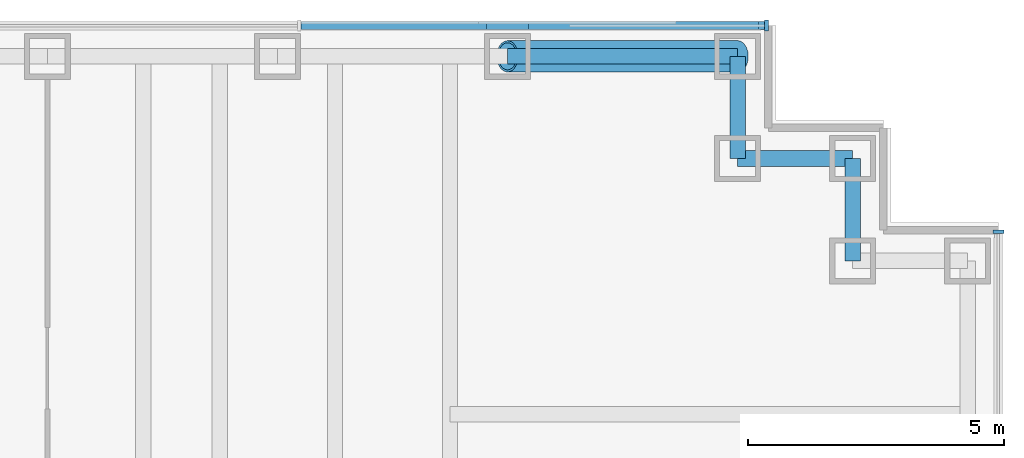
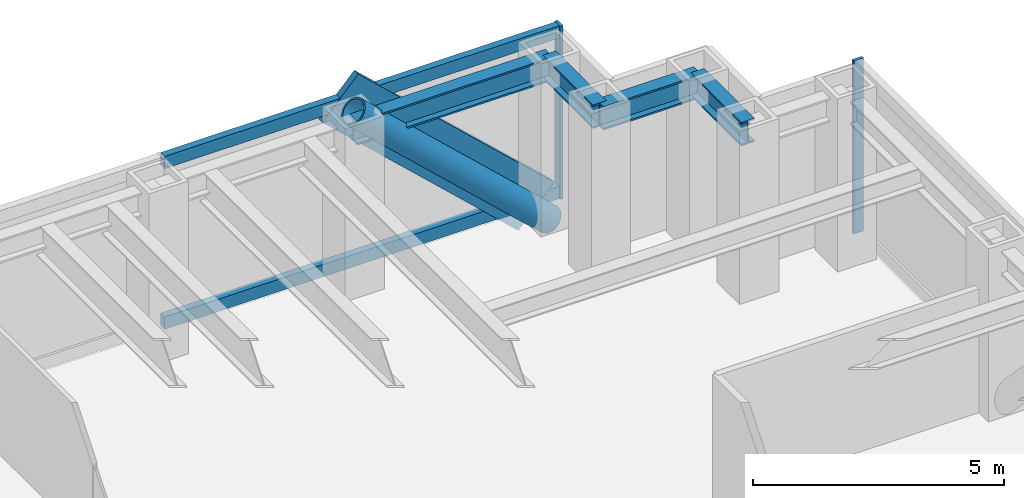
# One storey, part 9 of 15: 6 members, 4 beams, 2 elements without a shape of their own.
"""IFC4 building model written with IfcOpenShell, lengths in metres."""

from ifc_helpers import new_model, si_unit, direction, frame, origin, origin_2d, place, context, subcontext, project, spatial, rectangle, hollow_circle, i_section, extrude, material, material_profile, profile_set, type_object, element, aggregate, save


model = new_model("IFC4")

# Units and contexts
model_context = context("Model", 3, precision=1e-05, world=origin(), true_north=direction((0.0, 1.0)))
body_context = subcontext(model_context, "Body", "Model", "MODEL_VIEW")
ifc_project = project(units=[si_unit("LENGTHUNIT", "METRE"), si_unit("AREAUNIT", "SQUARE_METRE"), si_unit("VOLUMEUNIT", "CUBIC_METRE"), si_unit("PLANEANGLEUNIT", "RADIAN"), si_unit("MASSUNIT", "GRAM", prefix="KILO")], contexts=[model_context])

# Site, building, storey
site_placement = place(None, origin())
site = spatial("IfcSite", under=ifc_project, at=site_placement, CompositionType="ELEMENT")
building_placement = place(site_placement, origin())
building = spatial("IfcBuilding", under=site, at=building_placement, Name="Rheinbord Bourse Tower", CompositionType="ELEMENT")
storey_placement = place(building_placement, frame((0.0, 0.0, 125.699951171875)))
storey = spatial("IfcBuildingStorey", under=building, at=storey_placement, Name="L27", CompositionType="ELEMENT", Elevation=125.699951171875)

# Curtain wall, member
ifc_material_1 = material(Name="Dark glass and black aluminium", Category="aluminium")
curtain_wall_type = type_object("IfcCurtainWallType", Name="CW2 DARK GLASS CURTAIN WALL", PredefinedType="USERDEFINED", material=ifc_material_1)
curtain_wall_1_placement = place(storey_placement, origin())
curtain_wall_1 = element("IfcCurtainWall", 1, at=curtain_wall_1_placement, inside=storey, type_object=curtain_wall_type, Name="Curtain wall CW2 N L27", ObjectType="UNITISED CURTAIN WALL", PredefinedType="USERDEFINED")
ifc_material_2 = material(Name="Black anodised aluminium", Category="aluminium")
ifc_material_profile_1 = material_profile(ifc_material_2, rectangle(XDim=0.159912109375, YDim=1.2099609375, at=origin_2d()), Name="CW2 DIAGONAL MULLION 1210x160")
ifc_profile_set_1 = profile_set([ifc_material_profile_1], Name="Black anodised aluminium")
member_type_1 = type_object("IfcMemberType", Name="CW2 BLACK DIAGONAL MULLION", PredefinedType="USERDEFINED", material=ifc_profile_set_1)
member_1_placement = place(storey_placement, frame((67.5, 46.60009765625, 0.0), z_axis=(-0.73105922506, 0.0, 0.682314010889), x_axis=(0.0, -1.0, 0.0)))
member_1 = element("IfcMember", 2, at=member_1_placement, type_object=member_type_1, Name="CW2 diagonal mullion b", ObjectType="DIAGONAL MULLION", PredefinedType="USERDEFINED", context=body_context, shape_type="SweptSolid", body=[
    extrude(rectangle(XDim=0.159912109375, YDim=1.2099609375, at=origin_2d()), origin(), (0.0, 0.0, 1.0), 6.155517578125),
])

curtain_wall_2_placement = place(storey_placement, origin())
curtain_wall_2 = element("IfcCurtainWall", 3, at=curtain_wall_2_placement, inside=storey, type_object=curtain_wall_type, Name="Curtain wall CW2 E L27", ObjectType="UNITISED CURTAIN WALL", PredefinedType="USERDEFINED")
ifc_material_3 = material(Name="Black anodised aluminium", Category="aluminium")
ifc_material_profile_2 = material_profile(ifc_material_3, rectangle(XDim=0.219970703125, YDim=0.070068359375, at=origin_2d()), Name="CW2 MULLION 70x220")
ifc_profile_set_2 = profile_set([ifc_material_profile_2], Name="Black anodised aluminium")
member_type_2 = type_object("IfcMemberType", Name="CW2 BLACK MULLION", PredefinedType="MULLION", material=ifc_profile_set_2)
member_2_placement = place(storey_placement, frame((72.60009765625, 42.56494140625, 0.0), z_axis=(0.0, 0.0, 1.0), x_axis=(-1.0, 0.0, 0.0)))
member_2 = element("IfcMember", 4, at=member_2_placement, type_object=member_type_2, Name="CW2 mullion 6", PredefinedType="MULLION", context=body_context, shape_type="SweptSolid", body=[
    extrude(rectangle(XDim=0.219970703125, YDim=0.070068359375, at=origin_2d()), origin(), (0.0, 0.0, 1.0), 4.199951171875),
])
aggregate(curtain_wall_2, [member_2])

# Member
member_3_placement = place(storey_placement, frame((68.06494140625, 46.60009765625, 0.0), z_axis=(0.0, 0.0, 1.0), x_axis=(0.0, -1.0, 0.0)))
member_3 = element("IfcMember", 5, at=member_3_placement, type_object=member_type_2, Name="CW2 mullion 1", PredefinedType="MULLION", context=body_context, shape_type="SweptSolid", body=[
    extrude(rectangle(XDim=0.219970703125, YDim=0.070068359375, at=origin_2d()), origin(), (0.0, 0.0, 1.0), 4.199951171875),
])

ifc_material_4 = material(Name="Black anodised aluminium", Category="aluminium")
ifc_material_profile_3 = material_profile(ifc_material_4, rectangle(XDim=0.159912109375, YDim=0.300048828125, at=origin_2d()), Name="CW2 TRANSOM 300x160")
ifc_profile_set_3 = profile_set([ifc_material_profile_3], Name="Black anodised aluminium")
member_type_3 = type_object("IfcMemberType", Name="CW2 BLACK TRANSOM", PredefinedType="USERDEFINED", material=ifc_profile_set_3)
member_4_placement = place(storey_placement, frame((68.030029296875, 46.60009765625, 0.150146484375), z_axis=(-1.0, 0.0, 0.0), x_axis=(0.0, -1.0, 0.0)))
member_4 = element("IfcMember", 6, at=member_4_placement, type_object=member_type_3, Name="CW2 transom 1.1", ObjectType="TRANSOM", PredefinedType="USERDEFINED", context=body_context, shape_type="SweptSolid", body=[
    extrude(rectangle(XDim=0.159912109375, YDim=0.300048828125, at=origin_2d()), origin(), (0.0, 0.0, 1.0), 9.06640625),
])

member_5_placement = place(storey_placement, frame((68.030029296875, 46.60009765625, 4.050048828125), z_axis=(-1.0, 0.0, 0.0), x_axis=(0.0, -1.0, 0.0)))
member_5 = element("IfcMember", 7, at=member_5_placement, type_object=member_type_3, Name="CW2 transom 1.2", ObjectType="TRANSOM", PredefinedType="USERDEFINED", context=body_context, shape_type="SweptSolid", body=[
    extrude(rectangle(XDim=0.159912109375, YDim=0.300048828125, at=origin_2d()), origin(), (0.0, 0.0, 1.0), 9.06640625),
])

aggregate(curtain_wall_1, [member_3, member_4, member_5, member_1])

ifc_material_5 = material(Name="Steel S460", Category="steel")
ifc_material_profile_4 = material_profile(ifc_material_5, hollow_circle(Radius=0.304931640625, WallThickness=0.0400390625, at=origin_2d()), Name="CHS 610x40")
ifc_profile_set_4 = profile_set([ifc_material_profile_4], Name="Steel S460")
member_type_4 = type_object("IfcMemberType", Name="MEGABRACE CHS 610x40", PredefinedType="BRACE", material=ifc_profile_set_4)
member_6_placement = place(storey_placement, frame((67.5, 46.0, 0.0), z_axis=(-0.73105922506, 0.0, 0.682314010889), x_axis=(0.0, -1.0, 0.0)))
element("IfcMember", 8, at=member_6_placement, inside=storey, type_object=member_type_4, Name="Megabrace N face line b L27", PredefinedType="BRACE", context=body_context, shape_type="SweptSolid", body=[
    extrude(hollow_circle(Radius=0.304931640625, WallThickness=0.0400390625, at=origin_2d()), origin(), (0.0, 0.0, 1.0), 6.155517578125),
])

# Beams
ifc_material_6 = material(Name="Steel S460", Category="steel")
ifc_material_profile_5 = material_profile(ifc_material_6, i_section(OverallWidth=0.305908203125, OverallDepth=0.572021484375, WebThickness=0.02099609375, FlangeThickness=0.0400390625, at=origin_2d()), Name="HEM 550")
ifc_profile_set_5 = profile_set([ifc_material_profile_5], Name="Steel S460")
beam_type = type_object("IfcBeamType", Name="SPANDREL HEM 550", PredefinedType="SPANDREL", material=ifc_profile_set_5)
beam_1_placement = place(storey_placement, frame((69.75, 42.0, 3.754150390625), z_axis=(0.0, 1.0, 0.0), x_axis=(-1.0, 0.0, 0.0)))
element("IfcBeam", 9, at=beam_1_placement, inside=storey, type_object=beam_type, Name="Spandrel NE-B-NE-C under L28", PredefinedType="SPANDREL", context=body_context, shape_type="SweptSolid", body=[
    extrude(i_section(OverallWidth=0.305908203125, OverallDepth=0.572021484375, WebThickness=0.02099609375, FlangeThickness=0.0400390625, at=origin_2d()), origin(), (0.0, 0.0, 1.0), 2.0),
])
beam_2_placement = place(storey_placement, frame((69.75, 44.0, 3.754150390625), z_axis=(-1.0, 0.0, 0.0), x_axis=(0.0, -1.0, 0.0)))
element("IfcBeam", 10, at=beam_2_placement, inside=storey, type_object=beam_type, Name="Spandrel NE-C-NE-D under L28", PredefinedType="SPANDREL", context=body_context, shape_type="SweptSolid", body=[
    extrude(i_section(OverallWidth=0.305908203125, OverallDepth=0.572021484375, WebThickness=0.02099609375, FlangeThickness=0.0400390625, at=origin_2d()), origin(), (0.0, 0.0, 1.0), 2.25),
])
beam_3_placement = place(storey_placement, frame((67.5, 44.0, 3.754150390625), z_axis=(0.0, 1.0, 0.0), x_axis=(-1.0, 0.0, 0.0)))
element("IfcBeam", 11, at=beam_3_placement, inside=storey, type_object=beam_type, Name="Spandrel NE-D-NE-E under L28", PredefinedType="SPANDREL", context=body_context, shape_type="SweptSolid", body=[
    extrude(i_section(OverallWidth=0.305908203125, OverallDepth=0.572021484375, WebThickness=0.02099609375, FlangeThickness=0.0400390625, at=origin_2d()), origin(), (0.0, 0.0, 1.0), 2.0),
])
beam_4_placement = place(storey_placement, frame((67.5, 46.0, 3.754150390625), z_axis=(-1.0, 0.0, 0.0), x_axis=(0.0, -1.0, 0.0)))
element("IfcBeam", 12, at=beam_4_placement, inside=storey, type_object=beam_type, Name="Spandrel NE-E-N-63 under L28", PredefinedType="SPANDREL", context=body_context, shape_type="SweptSolid", body=[
    extrude(i_section(OverallWidth=0.305908203125, OverallDepth=0.572021484375, WebThickness=0.02099609375, FlangeThickness=0.0400390625, at=origin_2d()), origin(), (0.0, 0.0, 1.0), 4.5),
])

save(model, "model.ifc")
